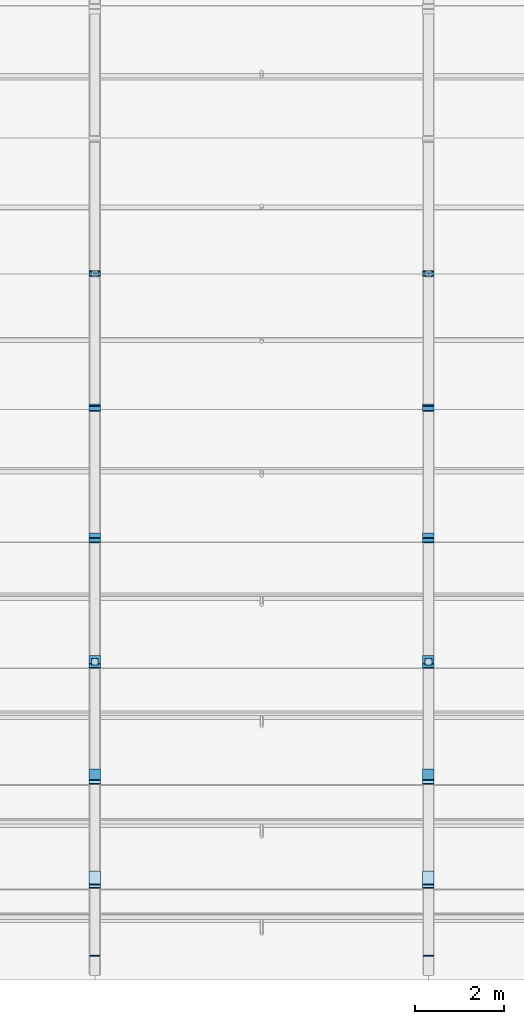
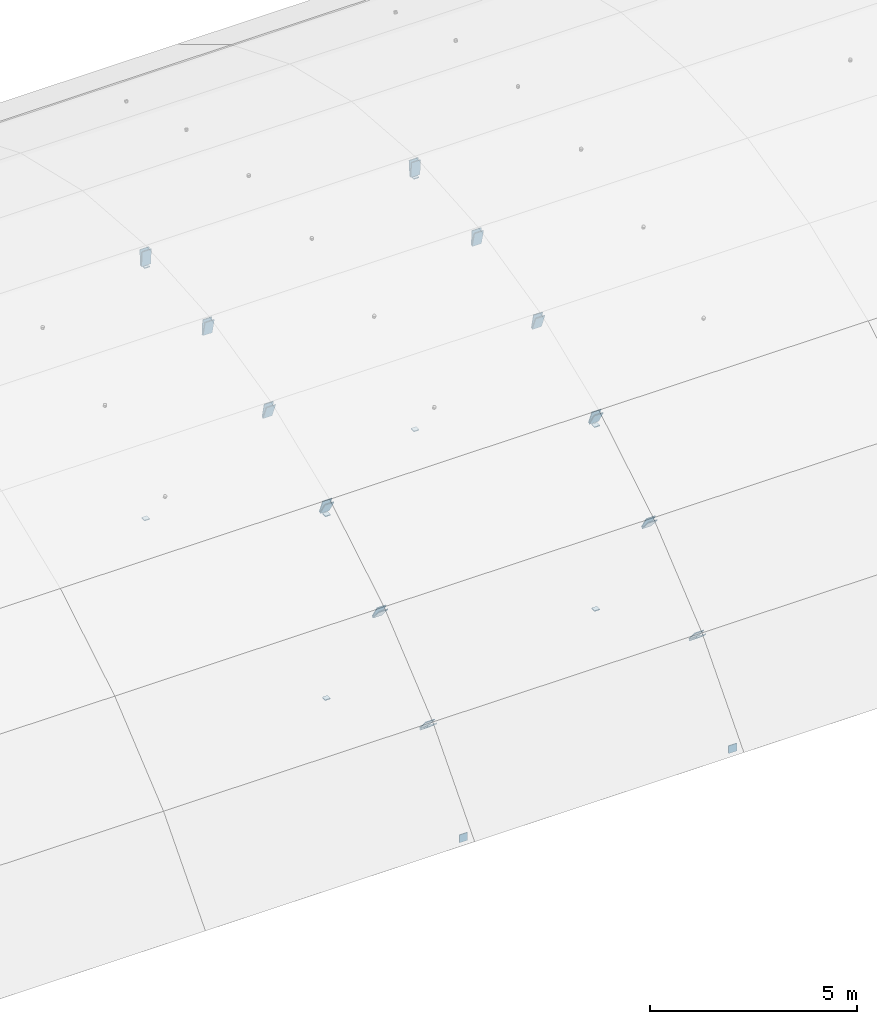
# One storey, part 49 of 77: 34 plates.
"""IFC4 building model written with IfcOpenShell, lengths in metres."""

from ifc_helpers import new_model, si_unit, direction, frame, origin, origin_2d, place, context, subcontext, project, spatial, rectangle, extrude, material, layer, layer_set, type_object, element, save


model = new_model("IFC4")

# Units and contexts
model_context = context("Model", 3, precision=1e-05, world=origin(), true_north=direction((0.0, 1.0)))
body_context = subcontext(model_context, "Body", "Model", "MODEL_VIEW")
ifc_project = project(units=[si_unit("LENGTHUNIT", "METRE"), si_unit("AREAUNIT", "SQUARE_METRE"), si_unit("VOLUMEUNIT", "CUBIC_METRE"), si_unit("PLANEANGLEUNIT", "RADIAN"), si_unit("MASSUNIT", "GRAM", prefix="KILO")], contexts=[model_context])

# Site, building, storey
site_placement = place(None, origin())
site = spatial("IfcSite", under=ifc_project, at=site_placement, CompositionType="ELEMENT")
building_placement = place(site_placement, origin())
building = spatial("IfcBuilding", under=site, at=building_placement, Name="Yukiwa Park Conservatory and Herbarium", CompositionType="ELEMENT")
storey_placement = place(building_placement, frame((0.0, 0.0, 13.199951171875)))
storey = spatial("IfcBuildingStorey", under=building, at=storey_placement, Name="L03", CompositionType="ELEMENT", Elevation=13.199951171875)

# Plates
ifc_material_1 = material(Name="Steel Q355D", Category="steel")
ifc_layer_1 = layer(ifc_material_1, 0.02392578125)
ifc_layer_set_1 = layer_set([ifc_layer_1], Name="Steel Q355D")
plate_type_1 = type_object("IfcPlateType", Name="PL-CAP-24", PredefinedType="USERDEFINED", material=ifc_layer_set_1)
for number, where, z_axis, x_axis, name in (
    (1, (22.5, 1.96044921875, -1.968017578125), (0.0, 0.659940990637, 0.751317435494), (-1.0, 0.0, 0.0), "Hollow section end cap plate CAP-RIB04-C01B"),
    (2, (22.5, 2.031494140625, -1.90087890625), (0.0, -0.76570486479, -0.643192086423), (1.0, 0.0, 0.0), "Hollow section end cap plate CAP-RIB04-C02A"),
    (3, (22.5, 4.267822265625, -0.034423828125), (0.0, 0.76570486479, 0.643192086423), (-1.0, 0.0, 0.0), "Hollow section end cap plate CAP-RIB04-C02B"),
    (4, (22.5, 4.34814453125, 0.02099609375), (0.0, -0.854787515222, -0.518978134242), (1.0, 0.0, 0.0), "Hollow section end cap plate CAP-RIB04-C03A"),
):
    element("IfcPlate", number, at=place(storey_placement, frame(where, z_axis=z_axis, x_axis=x_axis)), inside=storey, type_object=plate_type_1, Name=name, ObjectType="END CAP PLATE", PredefinedType="USERDEFINED", context=body_context, shape_type="SweptSolid", body=[
        extrude(rectangle(XDim=0.258056640625, YDim=0.4580078125, at=origin_2d()), origin(), (0.0, 0.0, 1.0), 0.02392578125),
    ])
plate_1_placement = place(storey_placement, frame((22.5, 6.844970703125, 1.520751953125), z_axis=(0.0, 0.857492925713, 0.514495755428), x_axis=(-1.0, 0.0, 0.0)))
element("IfcPlate", 5, at=plate_1_placement, inside=storey, type_object=plate_type_1, Name="Hollow section end cap plate CAP-RIB04-C03B", ObjectType="END CAP PLATE", PredefinedType="USERDEFINED", context=body_context, shape_type="SweptSolid", body=[
    extrude(rectangle(XDim=0.258056640625, YDim=0.4580078125, at=origin_2d()), origin(), (0.0, 0.0, 1.0), 0.024169921875),
])
for number, where, z_axis, x_axis, name in (
    (6, (22.5, 6.93310546875, 1.563232421875), (0.0, -0.926355609378, -0.376650082934), (1.0, 0.0, 0.0), "Hollow section end cap plate CAP-RIB04-C04A"),
    (7, (22.5, 9.631103515625, 2.660888671875), (0.0, 0.926355609378, 0.376650082934), (-1.0, 0.0, 0.0), "Hollow section end cap plate CAP-RIB04-C04B"),
    (8, (22.5, 9.724609375, 2.689208984375), (0.0, -0.974732318528, -0.223376156329), (1.0, 0.0, 0.0), "Hollow section end cap plate CAP-RIB04-C05A"),
):
    element("IfcPlate", number, at=place(storey_placement, frame(where, z_axis=z_axis, x_axis=x_axis)), inside=storey, type_object=plate_type_1, Name=name, ObjectType="END CAP PLATE", PredefinedType="USERDEFINED", context=body_context, shape_type="SweptSolid", body=[
        extrude(rectangle(XDim=0.258056640625, YDim=0.4580078125, at=origin_2d()), origin(), (0.0, 0.0, 1.0), 0.02392578125),
    ])
plate_2_placement = place(storey_placement, frame((22.5, 12.559326171875, 3.3583984375), z_axis=(0.0, 0.972479178012, 0.232989803065), x_axis=(-1.0, 0.0, 0.0)))
element("IfcPlate", 9, at=plate_2_placement, inside=storey, type_object=plate_type_1, Name="Hollow section end cap plate CAP-RIB04-C05B", ObjectType="END CAP PLATE", PredefinedType="USERDEFINED", context=body_context, shape_type="SweptSolid", body=[
    extrude(rectangle(XDim=0.258056640625, YDim=0.4580078125, at=origin_2d()), origin(), (0.0, 0.0, 1.0), 0.024169921875),
])
for number, where, z_axis, x_axis, name in (
    (10, (22.5, 12.656005859375, 3.3720703125), (0.0, -0.997458699831, -0.071247049988), (1.0, 0.0, 0.0), "Hollow section end cap plate CAP-RIB04-C06A"),
    (11, (22.5, 15.56005859375, 3.596923828125), (0.0, 0.996684615823, 0.081362009455), (-1.0, 0.0, 0.0), "Hollow section end cap plate CAP-RIB04-C06B"),
    (12, (22.5, 15.65771484375, 3.595458984375), (0.0, -0.996684615823, 0.081362009455), (1.0, 0.0, 0.0), "Hollow section end cap plate CAP-RIB04-C07A"),
    (13, (30.0, 1.96044921875, -1.968017578125), (0.0, 0.659940990637, 0.751317435494), (-1.0, 0.0, 0.0), "Hollow section end cap plate CAP-RIB05-C01B"),
    (14, (30.0, 2.031494140625, -1.90087890625), (0.0, -0.76570486479, -0.643192086423), (1.0, 0.0, 0.0), "Hollow section end cap plate CAP-RIB05-C02A"),
    (15, (30.0, 4.267822265625, -0.034423828125), (0.0, 0.76570486479, 0.643192086423), (-1.0, 0.0, 0.0), "Hollow section end cap plate CAP-RIB05-C02B"),
    (16, (30.0, 4.34814453125, 0.02099609375), (0.0, -0.854787515222, -0.518978134242), (1.0, 0.0, 0.0), "Hollow section end cap plate CAP-RIB05-C03A"),
):
    element("IfcPlate", number, at=place(storey_placement, frame(where, z_axis=z_axis, x_axis=x_axis)), inside=storey, type_object=plate_type_1, Name=name, ObjectType="END CAP PLATE", PredefinedType="USERDEFINED", context=body_context, shape_type="SweptSolid", body=[
        extrude(rectangle(XDim=0.258056640625, YDim=0.4580078125, at=origin_2d()), origin(), (0.0, 0.0, 1.0), 0.02392578125),
    ])
plate_3_placement = place(storey_placement, frame((30.0, 6.844970703125, 1.520751953125), z_axis=(0.0, 0.857492925713, 0.514495755428), x_axis=(-1.0, 0.0, 0.0)))
element("IfcPlate", 17, at=plate_3_placement, inside=storey, type_object=plate_type_1, Name="Hollow section end cap plate CAP-RIB05-C03B", ObjectType="END CAP PLATE", PredefinedType="USERDEFINED", context=body_context, shape_type="SweptSolid", body=[
    extrude(rectangle(XDim=0.258056640625, YDim=0.4580078125, at=origin_2d()), origin(), (0.0, 0.0, 1.0), 0.024169921875),
])
for number, where, z_axis, x_axis, name in (
    (18, (30.0, 6.93310546875, 1.563232421875), (0.0, -0.926355609378, -0.376650082934), (1.0, 0.0, 0.0), "Hollow section end cap plate CAP-RIB05-C04A"),
    (19, (30.0, 9.631103515625, 2.660888671875), (0.0, 0.926355609378, 0.376650082934), (-1.0, 0.0, 0.0), "Hollow section end cap plate CAP-RIB05-C04B"),
    (20, (30.0, 9.724609375, 2.689208984375), (0.0, -0.974732318528, -0.223376156329), (1.0, 0.0, 0.0), "Hollow section end cap plate CAP-RIB05-C05A"),
):
    element("IfcPlate", number, at=place(storey_placement, frame(where, z_axis=z_axis, x_axis=x_axis)), inside=storey, type_object=plate_type_1, Name=name, ObjectType="END CAP PLATE", PredefinedType="USERDEFINED", context=body_context, shape_type="SweptSolid", body=[
        extrude(rectangle(XDim=0.258056640625, YDim=0.4580078125, at=origin_2d()), origin(), (0.0, 0.0, 1.0), 0.02392578125),
    ])
plate_4_placement = place(storey_placement, frame((30.0, 12.559326171875, 3.3583984375), z_axis=(0.0, 0.972479178012, 0.232989803065), x_axis=(-1.0, 0.0, 0.0)))
element("IfcPlate", 21, at=plate_4_placement, inside=storey, type_object=plate_type_1, Name="Hollow section end cap plate CAP-RIB05-C05B", ObjectType="END CAP PLATE", PredefinedType="USERDEFINED", context=body_context, shape_type="SweptSolid", body=[
    extrude(rectangle(XDim=0.258056640625, YDim=0.4580078125, at=origin_2d()), origin(), (0.0, 0.0, 1.0), 0.024169921875),
])
for number, where, z_axis, x_axis, name in (
    (22, (30.0, 12.656005859375, 3.3720703125), (0.0, -0.997458699831, -0.071247049988), (1.0, 0.0, 0.0), "Hollow section end cap plate CAP-RIB05-C06A"),
    (23, (30.0, 15.56005859375, 3.596923828125), (0.0, 0.996684615823, 0.081362009455), (-1.0, 0.0, 0.0), "Hollow section end cap plate CAP-RIB05-C06B"),
    (24, (30.0, 15.65771484375, 3.595458984375), (0.0, -0.996684615823, 0.081362009455), (1.0, 0.0, 0.0), "Hollow section end cap plate CAP-RIB05-C07A"),
):
    element("IfcPlate", number, at=place(storey_placement, frame(where, z_axis=z_axis, x_axis=x_axis)), inside=storey, type_object=plate_type_1, Name=name, ObjectType="END CAP PLATE", PredefinedType="USERDEFINED", context=body_context, shape_type="SweptSolid", body=[
        extrude(rectangle(XDim=0.258056640625, YDim=0.4580078125, at=origin_2d()), origin(), (0.0, 0.0, 1.0), 0.02392578125),
    ])
ifc_material_2 = material(Name="Steel Q355D", Category="steel")
ifc_layer_2 = layer(ifc_material_2, 0.02392578125)
ifc_layer_set_2 = layer_set([ifc_layer_2], Name="Steel Q355D")
plate_type_2 = type_object("IfcPlateType", Name="PL-CAP-24-INT", PredefinedType="USERDEFINED", material=ifc_layer_set_2)
plate_5_placement = place(storey_placement, frame((22.5, 0.2890625, -4.199951171875), z_axis=(0.0, -1.0, 0.0), x_axis=(1.0, 0.0, 0.0)))
element("IfcPlate", 25, at=plate_5_placement, inside=storey, type_object=plate_type_2, Name="Hollow section end cap plate CAP-VTIE-04-S", ObjectType="END CAP PLATE", PredefinedType="USERDEFINED", context=body_context, shape_type="SweptSolid", body=[
    extrude(rectangle(XDim=0.22705078125, YDim=0.22705078125, at=origin_2d()), origin(), (0.0, 0.0, 1.0), 0.024169921875),
])
for number, where, z_axis, x_axis, name in (
    (26, (22.5, 6.87939453125, -4.087890625), (0.0, 0.0, -1.0), (1.0, 0.0, 0.0), "Hollow section end cap plate CAP-VHNG-04-3B"),
    (27, (22.5, 6.87939453125, 1.30029296875), (0.0, 0.0, 1.0), (1.0, 0.0, 0.0), "Hollow section end cap plate CAP-VHNG-04-3T"),
    (28, (22.5, 15.60009765625, -4.087890625), (0.0, 0.0, -1.0), (1.0, 0.0, 0.0), "Hollow section end cap plate CAP-VHNG-04-6B"),
    (29, (22.5, 15.60009765625, 3.322998046875), (0.0, 0.0, 1.0), (1.0, 0.0, 0.0), "Hollow section end cap plate CAP-VHNG-04-6T"),
):
    element("IfcPlate", number, at=place(storey_placement, frame(where, z_axis=z_axis, x_axis=x_axis)), inside=storey, type_object=plate_type_2, Name=name, ObjectType="END CAP PLATE", PredefinedType="USERDEFINED", context=body_context, shape_type="SweptSolid", body=[
        extrude(rectangle(XDim=0.147705078125, YDim=0.147705078125, at=origin_2d()), origin(), (0.0, 0.0, 1.0), 0.024169921875),
    ])
plate_6_placement = place(storey_placement, frame((30.0, 0.2890625, -4.199951171875), z_axis=(0.0, -1.0, 0.0), x_axis=(1.0, 0.0, 0.0)))
element("IfcPlate", 30, at=plate_6_placement, inside=storey, type_object=plate_type_2, Name="Hollow section end cap plate CAP-VTIE-05-S", ObjectType="END CAP PLATE", PredefinedType="USERDEFINED", context=body_context, shape_type="SweptSolid", body=[
    extrude(rectangle(XDim=0.22705078125, YDim=0.22705078125, at=origin_2d()), origin(), (0.0, 0.0, 1.0), 0.024169921875),
])
for number, where, z_axis, x_axis, name in (
    (31, (30.0, 6.87939453125, -4.087890625), (0.0, 0.0, -1.0), (1.0, 0.0, 0.0), "Hollow section end cap plate CAP-VHNG-05-3B"),
    (32, (30.0, 6.87939453125, 1.30029296875), (0.0, 0.0, 1.0), (1.0, 0.0, 0.0), "Hollow section end cap plate CAP-VHNG-05-3T"),
    (33, (30.0, 15.60009765625, -4.087890625), (0.0, 0.0, -1.0), (1.0, 0.0, 0.0), "Hollow section end cap plate CAP-VHNG-05-6B"),
    (34, (30.0, 15.60009765625, 3.322998046875), (0.0, 0.0, 1.0), (1.0, 0.0, 0.0), "Hollow section end cap plate CAP-VHNG-05-6T"),
):
    element("IfcPlate", number, at=place(storey_placement, frame(where, z_axis=z_axis, x_axis=x_axis)), inside=storey, type_object=plate_type_2, Name=name, ObjectType="END CAP PLATE", PredefinedType="USERDEFINED", context=body_context, shape_type="SweptSolid", body=[
        extrude(rectangle(XDim=0.147705078125, YDim=0.147705078125, at=origin_2d()), origin(), (0.0, 0.0, 1.0), 0.024169921875),
    ])

save(model, "model.ifc")
